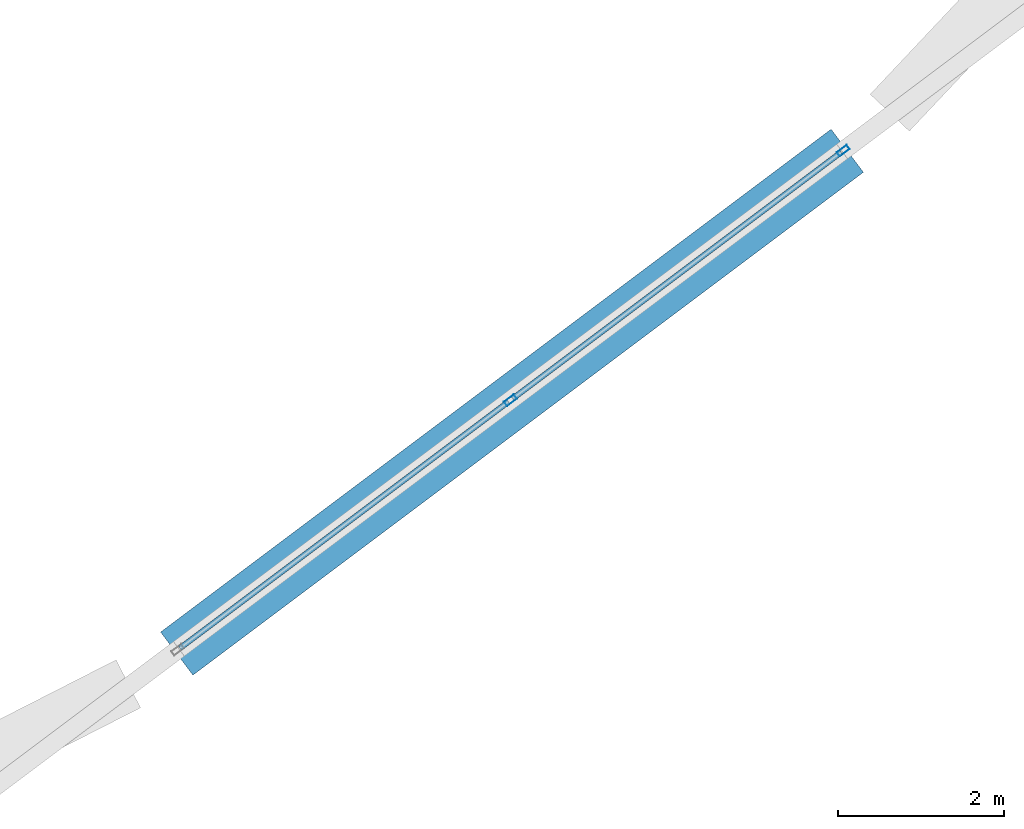
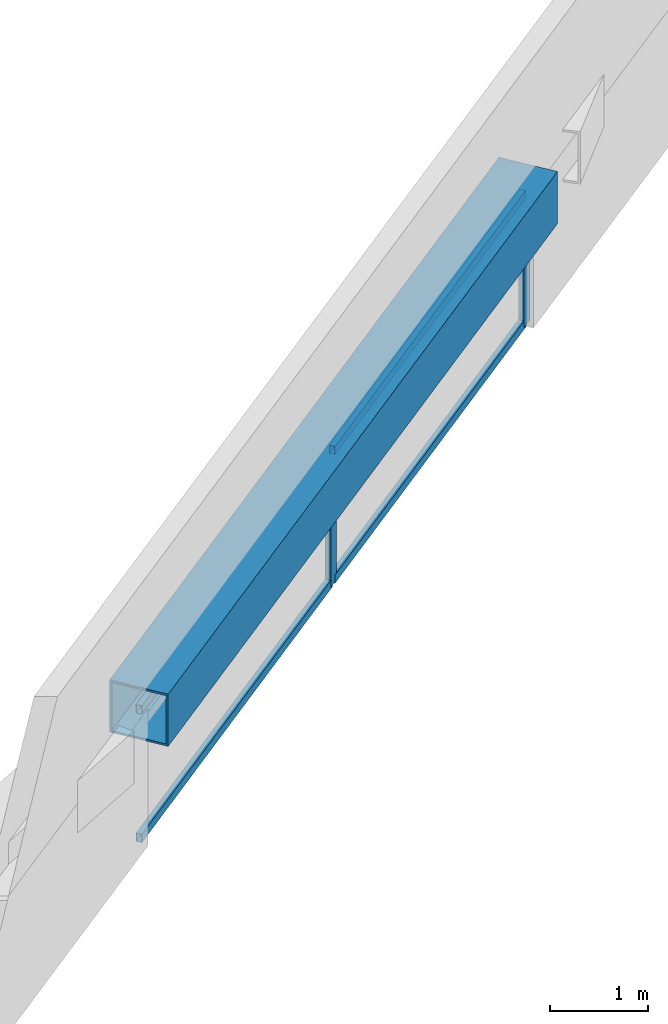
# One storey, part 18 of 31: 6 members, 1 beam, 1 element without a shape of its own.
"""IFC4 building model written with IfcOpenShell, lengths in metres."""

from ifc_helpers import new_model, si_unit, direction, frame, origin, origin_2d, place, context, subcontext, project, spatial, hollow_rectangle, extrude, material, material_profile, profile_set, type_object, element, aggregate, save


model = new_model("IFC4")

# Units and contexts
model_context = context("Model", 3, precision=1e-05, world=origin(), true_north=direction((0.0, 1.0)))
body_context = subcontext(model_context, "Body", "Model", "MODEL_VIEW")
ifc_project = project(units=[si_unit("LENGTHUNIT", "METRE"), si_unit("AREAUNIT", "SQUARE_METRE"), si_unit("VOLUMEUNIT", "CUBIC_METRE"), si_unit("PLANEANGLEUNIT", "RADIAN"), si_unit("MASSUNIT", "GRAM", prefix="KILO")], contexts=[model_context])

# Site, building, storey
site_placement = place(None, origin())
site = spatial("IfcSite", under=ifc_project, at=site_placement, CompositionType="ELEMENT")
building_placement = place(site_placement, origin())
building = spatial("IfcBuilding", under=site, at=building_placement, Name="Tashvorn Skyway Center", CompositionType="ELEMENT")
storey_placement = place(building_placement, frame((0.0, 0.0, 266.949951171875)))
storey = spatial("IfcBuildingStorey", under=building, at=storey_placement, Name="L72", CompositionType="ELEMENT", Elevation=266.949951171875)

# Beam
ifc_material_1 = material(Name="Steel ASTM A572 Grade 50", Category="steel")
ifc_material_profile_1 = material_profile(ifc_material_1, hollow_rectangle(XDim=0.64990234375, YDim=0.64990234375, WallThickness=0.02490234375, at=origin_2d()), Name="BOX650x650x25")
ifc_profile_set_1 = profile_set([ifc_material_profile_1], Name="Steel ASTM A572 Grade 50")
beam_type = type_object("IfcBeamType", Name="BM-BEAM-BOX650x650x25", PredefinedType="BEAM", material=ifc_profile_set_1)
beam_placement = place(storey_placement, frame((118.26611328125, 17.886962890625, 3.08349609375), z_axis=(0.8, 0.6, 0.0), x_axis=(-0.6, 0.8, 0.0)))
element("IfcBeam", 1, at=beam_placement, inside=storey, type_object=beam_type, Name="CROWN FRAME Tower 2 Upper-Tier Ring Beam 02", PredefinedType="BEAM", context=body_context, shape_type="SweptSolid", body=[
    extrude(hollow_rectangle(XDim=0.64990234375, YDim=0.64990234375, WallThickness=0.02490234375, at=origin_2d()), origin(), (0.0, 0.0, 1.0), 10.10986328125),
])

# Curtain wall, members
ifc_material_2 = material(Name="Thermally broken bronze-anodized aluminium 6063-T6", Category="aluminium")
curtain_wall_type = type_object("IfcCurtainWallType", Name="CW-CW-SKY", PredefinedType="NOTDEFINED", material=ifc_material_2)
curtain_wall_placement = place(storey_placement, origin())
curtain_wall = element("IfcCurtainWall", 2, at=curtain_wall_placement, inside=storey, type_object=curtain_wall_type, Name="CROWN Lantern Fritted Curtain Wall T2 S-4", PredefinedType="NOTDEFINED")
ifc_material_profile_2 = material_profile(ifc_material_2, hollow_rectangle(XDim=0.06494140625, YDim=0.14990234375, WallThickness=0.00390625, at=origin_2d()), Name="ALU-MULL-65x150")
ifc_profile_set_2 = profile_set([ifc_material_profile_2], Name="Thermally broken bronze-anodized aluminium 6063-T6")
member_type_1 = type_object("IfcMemberType", Name="CWM-CW-SKY", PredefinedType="MULLION", material=ifc_profile_set_2)
member_1_placement = place(storey_placement, frame((126.305908203125, 23.95458984375, 1.445068359375), z_axis=(0.0, 0.0, 1.0), x_axis=(0.600000000002, -0.799999999998, 0.0)))
member_1 = element("IfcMember", 3, at=member_1_placement, type_object=member_type_1, Name="CW-SKY mullion 1", PredefinedType="MULLION", context=body_context, shape_type="SweptSolid", body=[
    extrude(hollow_rectangle(XDim=0.06494140625, YDim=0.14990234375, WallThickness=0.00390625, at=origin_2d()), origin(), (0.0, 0.0, 1.0), 1.6650390625),
])
member_2_placement = place(storey_placement, frame((122.2919921875, 20.944091796875, 1.445068359375), z_axis=(0.0, 0.0, 1.0), x_axis=(0.600000000002, -0.799999999998, 0.0)))
member_2 = element("IfcMember", 4, at=member_2_placement, type_object=member_type_1, Name="CW-SKY mullion 2", PredefinedType="MULLION", context=body_context, shape_type="SweptSolid", body=[
    extrude(hollow_rectangle(XDim=0.06494140625, YDim=0.14990234375, WallThickness=0.00390625, at=origin_2d()), origin(), (0.0, 0.0, 1.0), 1.6650390625),
])
ifc_material_profile_3 = material_profile(ifc_material_2, hollow_rectangle(XDim=0.06494140625, YDim=0.10498046875, WallThickness=0.00390625, at=origin_2d()), Name="ALU-TRAN-65x105")
ifc_profile_set_3 = profile_set([ifc_material_profile_3], Name="Thermally broken bronze-anodized aluminium 6063-T6")
member_type_2 = type_object("IfcMemberType", Name="CWT-CW-SKY", PredefinedType="USERDEFINED", material=ifc_profile_set_3)
member_3_placement = place(storey_placement, frame((126.280029296875, 23.93505859375, 1.4775390625), z_axis=(-0.799976337273, -0.600031549007, 0.0), x_axis=(0.600031549007, -0.799976337273, 0.0)))
member_3 = element("IfcMember", 5, at=member_3_placement, type_object=member_type_2, Name="CW-SKY transom 1.1", ObjectType="TRANSOM", PredefinedType="USERDEFINED", context=body_context, shape_type="SweptSolid", body=[
    extrude(hollow_rectangle(XDim=0.06494140625, YDim=0.10498046875, WallThickness=0.00390625, at=origin_2d()), origin(), (0.0, 0.0, 1.0), 4.95263671875),
])
member_4_placement = place(storey_placement, frame((126.280029296875, 23.93505859375, 3.07763671875), z_axis=(-0.799976337273, -0.600031549007, 0.0), x_axis=(0.600031549007, -0.799976337273, 0.0)))
member_4 = element("IfcMember", 6, at=member_4_placement, type_object=member_type_2, Name="CW-SKY transom 1.2", ObjectType="TRANSOM", PredefinedType="USERDEFINED", context=body_context, shape_type="SweptSolid", body=[
    extrude(hollow_rectangle(XDim=0.06494140625, YDim=0.10498046875, WallThickness=0.00390625, at=origin_2d()), origin(), (0.0, 0.0, 1.0), 4.95263671875),
])
member_5_placement = place(storey_placement, frame((122.26611328125, 20.924560546875, 1.4775390625), z_axis=(-0.799994084668, -0.600007887028, 0.0), x_axis=(0.600007887028, -0.799994084668, 0.0)))
member_5 = element("IfcMember", 7, at=member_5_placement, type_object=member_type_2, Name="CW-SKY transom 2.1", ObjectType="TRANSOM", PredefinedType="USERDEFINED", context=body_context, shape_type="SweptSolid", body=[
    extrude(hollow_rectangle(XDim=0.06494140625, YDim=0.10498046875, WallThickness=0.00390625, at=origin_2d()), origin(), (0.0, 0.0, 1.0), 4.95263671875),
])
member_6_placement = place(storey_placement, frame((122.26611328125, 20.924560546875, 3.07763671875), z_axis=(-0.799994084668, -0.600007887028, 0.0), x_axis=(0.600007887028, -0.799994084668, 0.0)))
member_6 = element("IfcMember", 8, at=member_6_placement, type_object=member_type_2, Name="CW-SKY transom 2.2", ObjectType="TRANSOM", PredefinedType="USERDEFINED", context=body_context, shape_type="SweptSolid", body=[
    extrude(hollow_rectangle(XDim=0.06494140625, YDim=0.10498046875, WallThickness=0.00390625, at=origin_2d()), origin(), (0.0, 0.0, 1.0), 4.95263671875),
])
aggregate(curtain_wall, [member_1, member_2, member_3, member_4, member_5, member_6])

save(model, "model.ifc")
